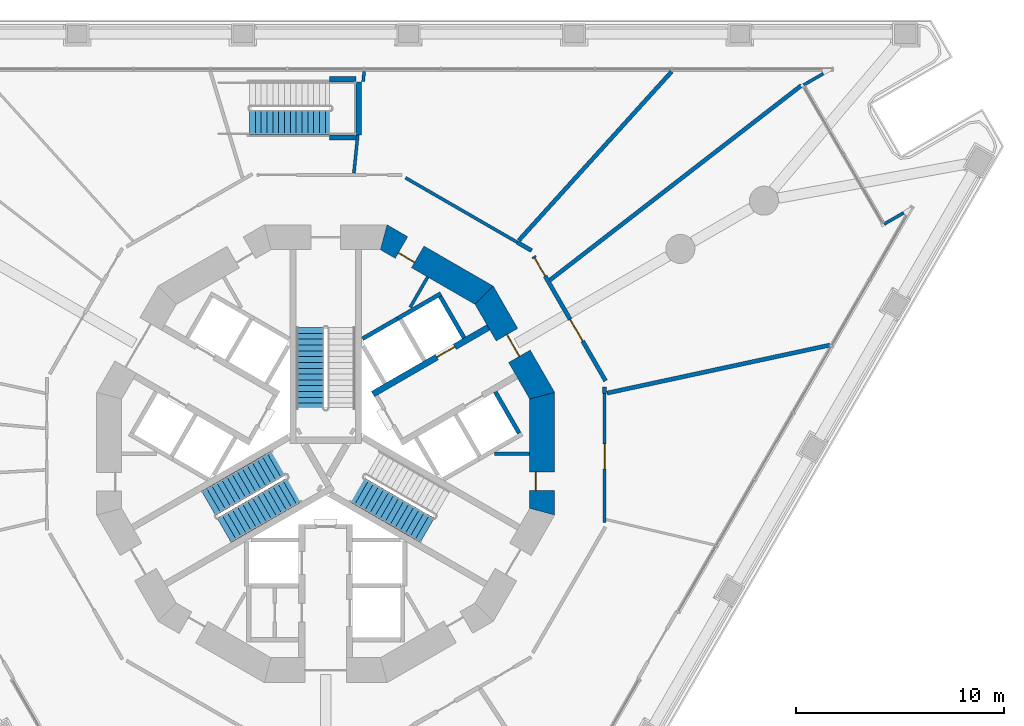
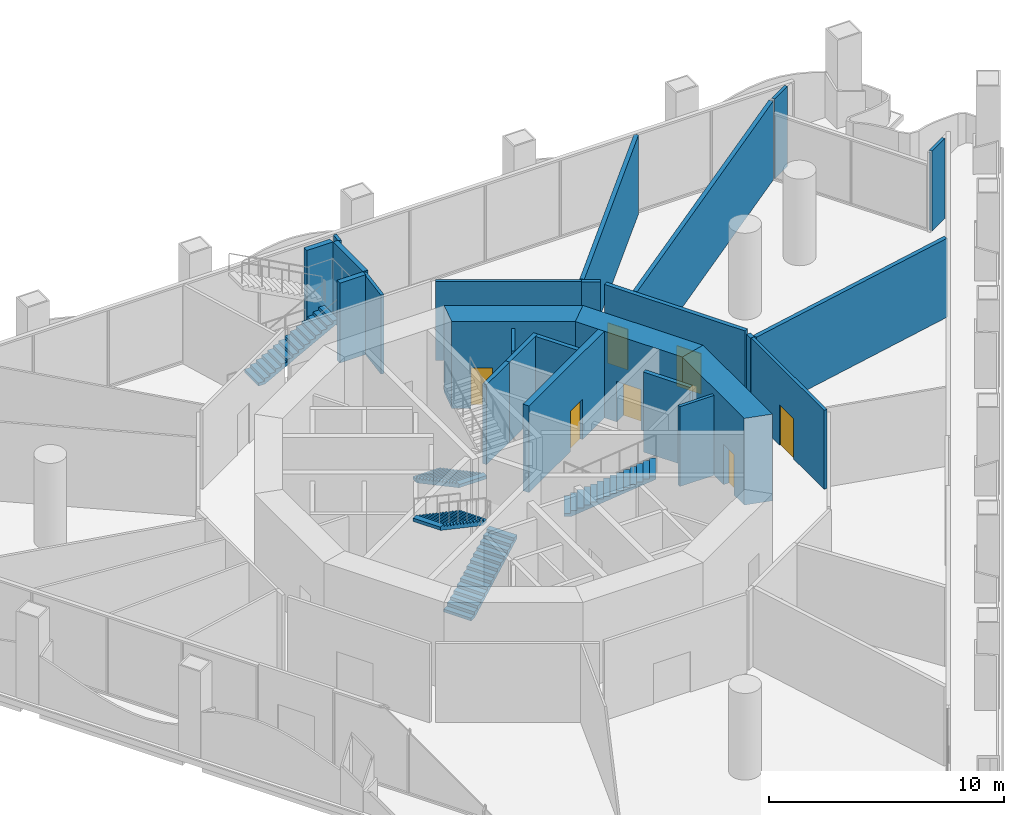
# One storey, part 14 of 23: 25 walls, 7 doors, 5 stair flights, 7 openings, 4 elements without a shape of their own.
"""IFC4 building model written with IfcOpenShell, lengths in metres."""

from ifc_helpers import new_model, si_unit, direction, frame, frame_2d, origin, place, context, subcontext, project, spatial, polyline, rectangle, outline, extrude, material, layer, layer_set, type_object, element, fill, aggregate, save


model = new_model("IFC4")

# Units and contexts
model_context = context("Model", 3, precision=1e-05, world=origin(), true_north=direction((0.0, 1.0)))
body_context = subcontext(model_context, "Body", "Model", "MODEL_VIEW")
ifc_project = project(units=[si_unit("LENGTHUNIT", "METRE"), si_unit("AREAUNIT", "SQUARE_METRE"), si_unit("VOLUMEUNIT", "CUBIC_METRE"), si_unit("PLANEANGLEUNIT", "RADIAN"), si_unit("MASSUNIT", "GRAM", prefix="KILO")], contexts=[model_context])

# Site, building, storey
site_placement = place(None, origin())
site = spatial("IfcSite", under=ifc_project, at=site_placement, CompositionType="ELEMENT")
building_placement = place(site_placement, origin())
building = spatial("IfcBuilding", under=site, at=building_placement, Name="Trine Commons Tower", CompositionType="ELEMENT")
storey_placement = place(building_placement, frame((0.0, 0.0, 18.0)))
storey = spatial("IfcBuildingStorey", under=building, at=storey_placement, Name="L03", CompositionType="ELEMENT", Elevation=18.0)

# Walls
ifc_material_1 = material(Name="Plasterboard on steel stud", Category="steel")
ifc_layer_1 = layer(ifc_material_1, 0.14990234375)
ifc_layer_set_1 = layer_set([ifc_layer_1], Name="Plasterboard on steel stud")
wall_type_1 = type_object("IfcWallType", Name="Compartment wall 150 mm, EI 60", PredefinedType="PARTITIONING", material=ifc_layer_set_1)
wall_1_placement = place(storey_placement, frame((81.357177734375, 75.994140625, 0.0), z_axis=(0.0, 0.0, 1.0), x_axis=(0.100173666566, 0.994969967651, 0.0)))
element("IfcWall", 1, at=wall_1_placement, inside=storey, type_object=wall_type_1, Name="Partition P3019", PredefinedType="PARTITIONING", context=body_context, shape_type="SweptSolid", body=[
    extrude(rectangle(XDim=1.840087890625, YDim=0.14990234375, at=frame_2d((0.919921875, 0.0))), origin(), (0.0, 0.0, 1.0), 4.10009765625),
])
wall_2_placement = place(storey_placement, frame((81.800048828125, 80.39501953125, 0.0), z_axis=(0.0, 0.0, 1.0), x_axis=(0.099749392044, 0.995012592276, 0.0)))
element("IfcWall", 2, at=wall_2_placement, inside=storey, type_object=wall_type_1, Name="Partition P3020", PredefinedType="PARTITIONING", context=body_context, shape_type="SweptSolid", body=[
    extrude(rectangle(XDim=0.491943359375, YDim=0.14990234375, at=frame_2d((0.24609375, 0.0))), origin(), (0.0, 0.0, 1.0), 4.10009765625),
])
wall_3_placement = place(storey_placement, frame((83.8359375, 75.771484375, 0.0), z_axis=(0.0, 0.0, 1.0), x_axis=(0.866042707112, -0.49997002856, 0.0)))
element("IfcWall", 3, at=wall_3_placement, inside=storey, type_object=wall_type_1, Name="Partition P3022", PredefinedType="PARTITIONING", context=body_context, shape_type="SweptSolid", body=[
    extrude(rectangle(XDim=6.203125, YDim=0.14990234375, at=frame_2d((3.1015625, 0.0))), origin(), (0.0, 0.0, 1.0), 4.10009765625),
])

# Wall, opening, door
wall_4_placement = place(storey_placement, frame((93.41162109375, 65.389404296875, 0.0), z_axis=(0.0, 0.0, 1.0), x_axis=(0.0, -1.0, 0.0)))
wall_4 = element("IfcWall", 4, at=wall_4_placement, inside=storey, type_object=wall_type_1, Name="Partition P3032", PredefinedType="PARTITIONING", context=body_context, shape_type="SweptSolid", body=[
    extrude(rectangle(XDim=6.203125, YDim=0.14990234375, at=frame_2d((3.1015625, 0.0))), origin(), (0.0, 0.0, 1.0), 4.10009765625),
])
opening_1_placement = place(wall_4_placement, frame((2.41845703125, 0.0, 0.0)))
opening_1 = element("IfcOpeningElement", 5, at=opening_1_placement, cuts=wall_4, Name="Opening D-P315", PredefinedType="OPENING", context=body_context, shape_type="SweptSolid", body=[
    extrude(rectangle(XDim=1.199951171875, YDim=2.10009765625, at=frame_2d((0.60009765625, 1.050048828125))), frame((0.0, 0.0849609375, 0.0), z_axis=(0.0, -1.0, 0.0), x_axis=(1.0, 0.0, 0.0)), (0.0, 0.0, 1.0), 0.169921875),
])
ifc_material_2 = material(Name="Timber fire door set", Category="wood")
door_type_1 = type_object("IfcDoorType", Name="Single swing door 1200x2100, FD30S", OperationType="SINGLE_SWING_LEFT", PredefinedType="DOOR", material=ifc_material_2)
door_1_placement = place(opening_1_placement, origin())
door_1 = element("IfcDoor", 6, at=door_1_placement, inside=storey, type_object=door_type_1, Name="Door D-P315", OperationType="SINGLE_SWING_LEFT", OverallHeight=2.10009765625, OverallWidth=1.199951171875, PredefinedType="DOOR", context=body_context, shape_type="SweptSolid", body=[
    extrude(rectangle(XDim=1.199951171875, YDim=2.10009765625, at=frame_2d((0.60009765625, 1.050048828125))), frame((0.0, 0.02490234375, 0.0), z_axis=(0.0, -1.0, 0.0), x_axis=(1.0, 0.0, 0.0)), (0.0, 0.0, 1.0), 0.050048828125),
])
fill(opening_1, door_1)

# Walls
ifc_material_3 = material(Name="Plasterboard partition on steel studs", Category="steel")
ifc_layer_2 = layer(ifc_material_3, 0.14990234375)
ifc_layer_set_2 = layer_set([ifc_layer_2], Name="Plasterboard partition on steel studs")
wall_type_2 = type_object("IfcWallType", Name="Core room partition 150 mm, EI 60", PredefinedType="PARTITIONING", material=ifc_layer_set_2)
wall_5_placement = place(storey_placement, frame((84.905029296875, 70.9970703125, 0.0), z_axis=(0.0, 0.0, 1.0), x_axis=(-0.500115728942, -0.865958577338, 0.0)))
element("IfcWall", 7, at=wall_5_placement, inside=storey, type_object=wall_type_2, Name="Core room partition L03", PredefinedType="PARTITIONING", context=body_context, shape_type="SweptSolid", body=[
    extrude(rectangle(XDim=1.68359375, YDim=0.14990234375, at=frame_2d((0.841796875, 0.0))), origin(), (0.0, 0.0, 1.0), 4.14990234375),
])
wall_6_placement = place(storey_placement, frame((89.81201171875, 62.5, 0.0), z_axis=(0.0, 0.0, 1.0), x_axis=(-1.0, 0.0, 0.0)))
element("IfcWall", 8, at=wall_6_placement, inside=storey, type_object=wall_type_2, Name="Core room partition L03", PredefinedType="PARTITIONING", context=body_context, shape_type="SweptSolid", body=[
    extrude(rectangle(XDim=1.68310546875, YDim=0.14990234375, at=frame_2d((0.841552734375, 0.0))), origin(), (0.0, 0.0, 1.0), 4.14990234375),
])
ifc_layer_3 = layer(ifc_material_1, 0.199951171875)
ifc_layer_set_3 = layer_set([ifc_layer_3], Name="Plasterboard on steel stud")
wall_type_3 = type_object("IfcWallType", Name="Fire wall 200 mm, EI 120", PredefinedType="PARTITIONING", material=ifc_layer_set_3)
wall_7_placement = place(storey_placement, frame((89.20751953125, 72.67041015625, 0.0), z_axis=(0.0, 0.0, 1.0), x_axis=(0.865938055058, -0.500151261923, 0.0)))
element("IfcWall", 9, at=wall_7_placement, inside=storey, type_object=wall_type_3, Name="Partition P3027", PredefinedType="PARTITIONING", context=body_context, shape_type="SweptSolid", body=[
    extrude(rectangle(XDim=0.804931640625, YDim=0.199951171875, at=frame_2d((0.40234375, 0.0))), origin(), (0.0, 0.0, 1.0), 4.10009765625),
])
wall_8_placement = place(storey_placement, frame((89.290771484375, 72.761962890625, 0.0), z_axis=(0.0, 0.0, 1.0), x_axis=(0.671165328065, 0.741307697521, 0.0)))
element("IfcWall", 10, at=wall_8_placement, inside=storey, type_object=wall_type_3, Name="Partition P3028", PredefinedType="PARTITIONING", context=body_context, shape_type="SweptSolid", body=[
    extrude(rectangle(XDim=10.95703125, YDim=0.199951171875, at=frame_2d((5.478515625, 0.0))), origin(), (0.0, 0.0, 1.0), 4.10009765625),
])

# Wall, openings, doors
wall_9_placement = place(storey_placement, frame((90.004638671875, 71.99462890625, 0.0), z_axis=(0.0, 0.0, 1.0), x_axis=(0.500012835235, -0.866017993231, 0.0)))
wall_9 = element("IfcWall", 11, at=wall_9_placement, inside=storey, type_object=wall_type_3, Name="Partition P3030", PredefinedType="PARTITIONING", context=body_context, shape_type="SweptSolid", body=[
    extrude(rectangle(XDim=6.913818359375, YDim=0.199951171875, at=frame_2d((3.45703125, 0.0))), origin(), (0.0, 0.0, 1.0), 4.10009765625),
])
opening_2_placement = place(wall_9_placement, frame((0.10009765625, 0.0, 0.0)))
opening_2 = element("IfcOpeningElement", 12, at=opening_2_placement, cuts=wall_9, Name="Opening D-P313", PredefinedType="OPENING", context=body_context, shape_type="SweptSolid", body=[
    extrude(rectangle(XDim=1.0, YDim=2.10009765625, at=frame_2d((0.5, 1.050048828125))), frame((0.0, 0.10986328125, 0.0), z_axis=(0.0, -1.0, 0.0), x_axis=(1.0, 0.0, 0.0)), (0.0, 0.0, 1.0), 0.219970703125),
])
opening_3_placement = place(wall_9_placement, frame((3.5048828125, 0.0, 0.0)))
opening_3 = element("IfcOpeningElement", 13, at=opening_3_placement, cuts=wall_9, Name="Opening D-P314", PredefinedType="OPENING", context=body_context, shape_type="SweptSolid", body=[
    extrude(rectangle(XDim=1.199951171875, YDim=2.10009765625, at=frame_2d((0.60009765625, 1.050048828125))), frame((0.0, 0.10986328125, 0.0), z_axis=(0.0, -1.0, 0.0), x_axis=(1.0, 0.0, 0.0)), (0.0, 0.0, 1.0), 0.219970703125),
])
door_type_2 = type_object("IfcDoorType", Name="Single swing door 1000x2100, FD30S", OperationType="SINGLE_SWING_LEFT", PredefinedType="DOOR", material=ifc_material_2)
door_2_placement = place(opening_2_placement, origin())
door_2 = element("IfcDoor", 14, at=door_2_placement, inside=storey, type_object=door_type_2, Name="Door D-P313", OperationType="SINGLE_SWING_LEFT", OverallHeight=2.10009765625, OverallWidth=1.0, PredefinedType="DOOR", context=body_context, shape_type="SweptSolid", body=[
    extrude(rectangle(XDim=1.0, YDim=2.10009765625, at=frame_2d((0.5, 1.050048828125))), frame((0.0, 0.02490234375, 0.0), z_axis=(0.0, -1.0, 0.0), x_axis=(1.0, 0.0, 0.0)), (0.0, 0.0, 1.0), 0.050048828125),
])
fill(opening_2, door_2)
door_3_placement = place(opening_3_placement, origin())
door_3 = element("IfcDoor", 15, at=door_3_placement, inside=storey, type_object=door_type_1, Name="Door D-P314", OperationType="SINGLE_SWING_LEFT", OverallHeight=2.10009765625, OverallWidth=1.199951171875, PredefinedType="DOOR", context=body_context, shape_type="SweptSolid", body=[
    extrude(rectangle(XDim=1.199951171875, YDim=2.10009765625, at=frame_2d((0.60009765625, 1.050048828125))), frame((0.0, 0.02490234375, 0.0), z_axis=(0.0, -1.0, 0.0), x_axis=(1.0, 0.0, 0.0)), (0.0, 0.0, 1.0), 0.050048828125),
])
fill(opening_3, door_3)

# Walls
wall_10_placement = place(storey_placement, frame((90.79296875, 70.85595703125, 0.0), z_axis=(0.0, 0.0, 1.0), x_axis=(0.790726451342, 0.612169648993, 0.0)))
element("IfcWall", 16, at=wall_10_placement, inside=storey, type_object=wall_type_3, Name="Partition P3031", PredefinedType="PARTITIONING", context=body_context, shape_type="SweptSolid", body=[
    extrude(rectangle(XDim=15.28369140625, YDim=0.199951171875, at=frame_2d((7.641845703125, 0.0))), origin(), (0.0, 0.0, 1.0), 4.10009765625),
])
wall_11_placement = place(storey_placement, frame((93.41162109375, 65.38916015625, 0.0), z_axis=(0.0, 0.0, 1.0), x_axis=(0.0, 1.0, 0.0)))
element("IfcWall", 17, at=wall_11_placement, inside=storey, type_object=wall_type_3, Name="Partition P3034", PredefinedType="PARTITIONING", context=body_context, shape_type="SweptSolid", body=[
    extrude(rectangle(XDim=0.331298828125, YDim=0.199951171875, at=frame_2d((0.16552734375, 0.0))), origin(), (0.0, 0.0, 1.0), 4.10009765625),
])
wall_12_placement = place(storey_placement, frame((93.53271484375, 65.415283203125, 0.0), z_axis=(0.0, 0.0, 1.0), x_axis=(0.977571619622, 0.210603249047, 0.0)))
element("IfcWall", 18, at=wall_12_placement, inside=storey, type_object=wall_type_3, Name="Partition P3035", PredefinedType="PARTITIONING", context=body_context, shape_type="SweptSolid", body=[
    extrude(rectangle(XDim=10.957275390625, YDim=0.199951171875, at=frame_2d((5.478515625, 0.0))), origin(), (0.0, 0.0, 1.0), 4.10009765625),
])
ifc_material_4 = material(Name="Aluminium-framed insulated wall panel", Category="aluminium")
ifc_layer_4 = layer(ifc_material_4, 0.14990234375)
ifc_layer_set_4 = layer_set([ifc_layer_4], Name="Aluminium-framed insulated wall panel")
wall_type_4 = type_object("IfcWallType", Name="Glazed frame wall 150, EI 60", PredefinedType="SOLIDWALL", material=ifc_layer_set_4)
wall_13_placement = place(storey_placement, frame((104.060546875, 80.854248046875, 0.0), z_axis=(0.0, 0.0, 1.0), x_axis=(-0.86606770004, -0.49992673358, 0.0)))
element("IfcWall", 19, at=wall_13_placement, inside=storey, type_object=wall_type_4, Name="Glazed frame wall L03 R5", PredefinedType="SOLIDWALL", context=body_context, shape_type="SweptSolid", body=[
    extrude(outline(polyline([(0.1494140625, 0.074951171875), (0.1494140625, -0.074951171875), (1.235107421875, -0.074951171875), (1.235107421875, 0.074951171875), (0.1494140625, 0.074951171875)])), origin(), (0.0, 0.0, 1.0), 4.14990234375),
])
wall_14_placement = place(storey_placement, frame((106.7607421875, 73.4873046875, 0.0), z_axis=(0.0, 0.0, 1.0), x_axis=(0.865989100438, 0.500062873969, 0.0)))
element("IfcWall", 20, at=wall_14_placement, inside=storey, type_object=wall_type_4, Name="Glazed frame wall L03 R7", PredefinedType="SOLIDWALL", context=body_context, shape_type="SweptSolid", body=[
    extrude(outline(polyline([(0.110107421875, 0.074951171875), (0.110107421875, -0.074951171875), (1.19580078125, -0.074951171875), (1.19580078125, 0.074951171875), (0.110107421875, 0.074951171875)])), origin(), (0.0, 0.0, 1.0), 4.14990234375),
])

# Wall, opening, door
ifc_material_5 = material(Name="Concrete C80/95", Category="concrete")
ifc_layer_5 = layer(ifc_material_5, 1.199951171875)
ifc_layer_set_5 = layer_set([ifc_layer_5], Name="Concrete C80/95")
wall_type_5 = type_object("IfcWallType", Name="RC shear wall 1200 mm, C80/95", PredefinedType="SHEAR", material=ifc_layer_set_5)
wall_15_placement = place(storey_placement, frame((90.41162109375, 59.549560546875, 0.0), z_axis=(0.0, 0.0, 1.0), x_axis=(0.0, 1.0, 0.0)))
wall_15 = element("IfcWall", 21, at=wall_15_placement, inside=storey, type_object=wall_type_5, Name="Core wall CWA-01 L03", PredefinedType="SHEAR", context=body_context, shape_type="SweptSolid", body=[
    extrude(outline(polyline([(0.0, -0.60009765625), (5.90087890625, -0.60009765625), (5.57958984375, 0.60009765625), (0.321533203125, 0.60009765625), (0.0, -0.60009765625)])), origin(), (0.0, 0.0, 1.0), 4.5),
])
opening_4_placement = place(wall_15_placement, frame((1.175537109375, 0.0, 0.0)))
opening_4 = element("IfcOpeningElement", 22, at=opening_4_placement, cuts=wall_15, Name="Opening K06.17", PredefinedType="OPENING", context=body_context, shape_type="SweptSolid", body=[
    extrude(rectangle(XDim=0.89990234375, YDim=2.10009765625, at=frame_2d((0.449951171875, 1.050048828125))), frame((0.0, 0.60986328125, 0.0), z_axis=(0.0, -1.0, 0.0), x_axis=(1.0, 0.0, 0.0)), (0.0, 0.0, 1.0), 1.219970703125),
])
ifc_material_6 = material(Name="Steel door leaf, fire-rated", Category="steel")
door_type_3 = type_object("IfcDoorType", Name="Core room door, single leaf 900 x 2100, FD30S", OperationType="SINGLE_SWING_LEFT", PredefinedType="DOOR", material=ifc_material_6)
door_4_placement = place(opening_4_placement, origin())
door_4 = element("IfcDoor", 23, at=door_4_placement, inside=storey, type_object=door_type_3, Name="Door to Linen store L03", OperationType="SINGLE_SWING_LEFT", OverallHeight=2.10009765625, OverallWidth=0.89990234375, PredefinedType="DOOR", context=body_context, shape_type="SweptSolid", body=[
    extrude(rectangle(XDim=0.89990234375, YDim=2.10009765625, at=frame_2d((0.449951171875, 1.050048828125))), frame((0.0, 0.3251953125, 0.0), z_axis=(0.0, -1.0, 0.0), x_axis=(1.0, 0.0, 0.0)), (0.0, 0.0, 1.0), 0.050048828125),
])
fill(opening_4, door_4)

wall_16_placement = place(storey_placement, frame((90.491943359375, 65.150390625, 0.0), z_axis=(0.0, 0.0, 1.0), x_axis=(-0.499979111662, 0.866037463336, 0.0)))
wall_16 = element("IfcWall", 24, at=wall_16_placement, inside=storey, type_object=wall_type_5, Name="Core wall CWA-02 L03", PredefinedType="SHEAR", context=body_context, shape_type="SweptSolid", body=[
    extrude(outline(polyline([(0.0, -0.60009765625), (5.901123046875, -0.60009765625), (5.57958984375, 0.60009765625), (0.321533203125, 0.60009765625), (0.0, -0.60009765625)])), origin(), (0.0, 0.0, 1.0), 4.5),
])
opening_5_placement = place(wall_16_placement, frame((2.3505859375, 0.0, 0.0)))
opening_5 = element("IfcOpeningElement", 25, at=opening_5_placement, cuts=wall_16, Name="Opening K06.04", PredefinedType="OPENING", context=body_context, shape_type="SweptSolid", body=[
    extrude(rectangle(XDim=1.199951171875, YDim=2.10009765625, at=frame_2d((0.60009765625, 1.050048828125))), frame((0.0, 0.60986328125, 0.0), z_axis=(0.0, -1.0, 0.0), x_axis=(1.0, 0.0, 0.0)), (0.0, 0.0, 1.0), 1.219970703125),
])
ifc_material_7 = material(Name="Steel door leaves, fire-rated", Category="steel")
door_type_4 = type_object("IfcDoorType", Name="Lobby door, double leaf 1200 x 2100, FD60", OperationType="DOUBLE_DOOR_SINGLE_SWING", PredefinedType="DOOR", material=ifc_material_7)
door_5_placement = place(opening_5_placement, origin())
door_5 = element("IfcDoor", 26, at=door_5_placement, inside=storey, type_object=door_type_4, Name="Lobby door, Passenger lift lobby A L03", OperationType="DOUBLE_DOOR_SINGLE_SWING", OverallHeight=2.10009765625, OverallWidth=1.199951171875, PredefinedType="DOOR", context=body_context, shape_type="SweptSolid", body=[
    extrude(rectangle(XDim=1.199951171875, YDim=2.10009765625, at=frame_2d((0.60009765625, 1.050048828125))), frame((0.0, 0.02490234375, 0.0), z_axis=(0.0, -1.0, 0.0), x_axis=(1.0, 0.0, 0.0)), (0.0, 0.0, 1.0), 0.050048828125),
])
fill(opening_5, door_5)

wall_17_placement = place(storey_placement, frame((87.760986328125, 70.04150390625, 0.0), z_axis=(0.0, 0.0, 1.0), x_axis=(-0.866037463336, 0.499979111662, 0.0)))
wall_17 = element("IfcWall", 27, at=wall_17_placement, inside=storey, type_object=wall_type_5, Name="Core wall CWA-03 L03", PredefinedType="SHEAR", context=body_context, shape_type="SweptSolid", body=[
    extrude(outline(polyline([(0.0, -0.60009765625), (5.901123046875, -0.60009765625), (5.57958984375, 0.60009765625), (0.321533203125, 0.60009765625), (0.0, -0.60009765625)])), origin(), (0.0, 0.0, 1.0), 4.5),
])
opening_6_placement = place(wall_17_placement, frame((3.8515625, 0.0, 0.0)))
opening_6 = element("IfcOpeningElement", 28, at=opening_6_placement, cuts=wall_17, Name="Opening K06.12", PredefinedType="OPENING", context=body_context, shape_type="SweptSolid", body=[
    extrude(rectangle(XDim=0.89990234375, YDim=2.10009765625, at=frame_2d((0.449951171875, 1.050048828125))), frame((0.0, 0.60986328125, 0.0), z_axis=(0.0, -1.0, 0.0), x_axis=(1.0, 0.0, 0.0)), (0.0, 0.0, 1.0), 1.219970703125),
])
door_6_placement = place(opening_6_placement, origin())
door_6 = element("IfcDoor", 29, at=door_6_placement, inside=storey, type_object=door_type_3, Name="Door to Cleaner's store L03", OperationType="SINGLE_SWING_RIGHT", OverallHeight=2.10009765625, OverallWidth=0.89990234375, PredefinedType="DOOR", context=body_context, shape_type="SweptSolid", body=[
    extrude(rectangle(XDim=0.89990234375, YDim=2.10009765625, at=frame_2d((0.449951171875, 1.050048828125))), frame((0.0, 0.3251953125, 0.0), z_axis=(0.0, -1.0, 0.0), x_axis=(1.0, 0.0, 0.0)), (0.0, 0.0, 1.0), 0.050048828125),
])
fill(opening_6, door_6)

ifc_layer_6 = layer(ifc_material_5, 0.300048828125)
ifc_layer_set_6 = layer_set([ifc_layer_6], Name="Concrete C80/95")
wall_type_6 = type_object("IfcWallType", Name="RC shear wall 300 mm, C80/95", PredefinedType="SHEAR", material=ifc_layer_set_6)
wall_18_placement = place(storey_placement, frame((82.26904296875, 65.368896484375, 0.0), z_axis=(0.0, 0.0, 1.0), x_axis=(0.866022631842, 0.500004801114, 0.0)))
wall_18 = element("IfcWall", 30, at=wall_18_placement, inside=storey, type_object=wall_type_6, Name="Core cross wall SWA-05 L03", PredefinedType="SHEAR", context=body_context, shape_type="SweptSolid", body=[
    extrude(rectangle(XDim=6.412109375, YDim=0.300048828125, at=frame_2d((3.2060546875, 0.0))), origin(), (0.0, 0.0, 1.0), 4.5),
])
opening_7_placement = place(wall_18_placement, frame((3.55029296875, 0.0, 0.0)))
opening_7 = element("IfcOpeningElement", 31, at=opening_7_placement, cuts=wall_18, Name="Opening LD1", PredefinedType="OPENING", context=body_context, shape_type="SweptSolid", body=[
    extrude(rectangle(XDim=1.0, YDim=2.10009765625, at=frame_2d((0.5, 1.050048828125))), frame((0.0, 0.159912109375, 0.0), z_axis=(0.0, -1.0, 0.0), x_axis=(1.0, 0.0, 0.0)), (0.0, 0.0, 1.0), 0.320068359375),
])
ifc_material_8 = material(Name="Stainless steel sliding door leaves", Category="steel")
door_type_5 = type_object("IfcDoorType", Name="Lift landing door, centre-opening sliding 1000 x 2100, FD90", OperationType="DOUBLE_DOOR_SLIDING", PredefinedType="DOOR", material=ifc_material_8)
door_7_placement = place(opening_7_placement, origin())
door_7 = element("IfcDoor", 32, at=door_7_placement, inside=storey, type_object=door_type_5, Name="Lift landing door LR1 L03", OperationType="DOUBLE_DOOR_SLIDING", OverallHeight=2.10009765625, OverallWidth=1.0, PredefinedType="DOOR", context=body_context, shape_type="SweptSolid", body=[
    extrude(rectangle(XDim=1.0, YDim=2.10009765625, at=frame_2d((0.5, 1.050048828125))), frame((0.0, 0.02490234375, 0.0), z_axis=(0.0, -1.0, 0.0), x_axis=(1.0, 0.0, 0.0)), (0.0, 0.0, 1.0), 0.050048828125),
])
fill(opening_7, door_7)

# Walls
ifc_material_9 = material(Name="Fire-rated gypsum shaft wall system")
ifc_layer_7 = layer(ifc_material_9, 0.199951171875)
ifc_layer_set_7 = layer_set([ifc_layer_7], Name="Fire-rated gypsum shaft wall system")
wall_type_7 = type_object("IfcWallType", Name="Shaft wall 200 mm, EI 120", PredefinedType="PARTITIONING", material=ifc_layer_set_7)
wall_19_placement = place(storey_placement, frame((81.77490234375, 68.028076171875, 0.0), z_axis=(0.0, 0.0, 1.0), x_axis=(0.866052014814, 0.499953905513, 0.0)))
element("IfcWall", 33, at=wall_19_placement, inside=storey, type_object=wall_type_7, Name="Shaft wall L03", PredefinedType="PARTITIONING", context=body_context, shape_type="SweptSolid", body=[
    extrude(rectangle(XDim=1.947998046875, YDim=0.199951171875, at=frame_2d((0.97412109375, 0.0))), origin(), (0.0, 0.0, 1.0), 4.14990234375),
])
wall_20_placement = place(storey_placement, frame((83.4619140625, 69.001953125, 0.0), z_axis=(0.0, 0.0, 1.0), x_axis=(0.866202511239, 0.499693115345, 0.0)))
element("IfcWall", 34, at=wall_20_placement, inside=storey, type_object=wall_type_7, Name="Shaft wall L03", PredefinedType="PARTITIONING", context=body_context, shape_type="SweptSolid", body=[
    extrude(rectangle(XDim=2.4013671875, YDim=0.199951171875, at=frame_2d((1.20068359375, 0.0))), origin(), (0.0, 0.0, 1.0), 4.14990234375),
])
wall_21_placement = place(storey_placement, frame((86.655029296875, 68.073974609375, 0.0), z_axis=(0.0, 0.0, 1.0), x_axis=(-0.500215680983, 0.865900844496, 0.0)))
element("IfcWall", 35, at=wall_21_placement, inside=storey, type_object=wall_type_7, Name="Shaft wall L03", PredefinedType="PARTITIONING", context=body_context, shape_type="SweptSolid", body=[
    extrude(rectangle(XDim=2.29931640625, YDim=0.199951171875, at=frame_2d((1.149658203125, 0.0))), origin(), (0.0, 0.0, 1.0), 4.14990234375),
])
wall_22_placement = place(storey_placement, frame((88.155029296875, 65.47607421875, 0.0), z_axis=(0.0, 0.0, 1.0), x_axis=(0.500136062276, -0.86594683394, 0.0)))
element("IfcWall", 36, at=wall_22_placement, inside=storey, type_object=wall_type_7, Name="Shaft wall L03", PredefinedType="PARTITIONING", context=body_context, shape_type="SweptSolid", body=[
    extrude(rectangle(XDim=2.299072265625, YDim=0.199951171875, at=frame_2d((1.1494140625, 0.0))), origin(), (0.0, 0.0, 1.0), 4.14990234375),
])
ifc_material_10 = material(Name="Concrete C40/50", Category="concrete")
ifc_layer_8 = layer(ifc_material_10, 0.25)
ifc_layer_set_8 = layer_set([ifc_layer_8], Name="Concrete C40/50")
wall_type_8 = type_object("IfcWallType", Name="Stair landing wall 250 mm, concrete C40/50", PredefinedType="SOLIDWALL", material=ifc_layer_set_8)
wall_23_placement = place(storey_placement, frame((81.5849609375, 77.8349609375, 0.0), z_axis=(0.0, 0.0, 1.0), x_axis=(0.0, 1.0, 0.0)))
element("IfcWall", 37, at=wall_23_placement, inside=storey, type_object=wall_type_8, Name="L03 PS1 landing wall E", PredefinedType="SOLIDWALL", context=body_context, shape_type="SweptSolid", body=[
    extrude(rectangle(XDim=2.550048828125, YDim=0.25, at=frame_2d((1.27490234375, 0.0))), origin(), (0.0, 0.0, 1.0), 4.14990234375),
])
for number, where, z_axis, x_axis, name in (
    (38, (80.179931640625, 80.510009765625, 0.0), (0.0, 0.0, 1.0), (1.0, 0.0, 0.0), "L03 PS1 landing wall N"),
    (39, (80.179931640625, 77.7099609375, 0.0), (0.0, 0.0, 1.0), (1.0, 0.0, 0.0), "L03 PS1 landing wall S"),
):
    element("IfcWall", number, at=place(storey_placement, frame(where, z_axis=z_axis, x_axis=x_axis)), inside=storey, type_object=wall_type_8, Name=name, PredefinedType="SOLIDWALL", context=body_context, shape_type="SweptSolid", body=[
        extrude(rectangle(XDim=1.280029296875, YDim=0.25, at=frame_2d((0.64013671875, 0.0))), origin(), (0.0, 0.0, 1.0), 4.14990234375),
    ])

# Stair, stair flight
stair_type_1 = type_object("IfcStairType", Name="Podium stair, dog-leg 1200 mm, C40/50", PredefinedType="HALF_TURN_STAIR", material=ifc_material_10)
stair_1_placement = place(storey_placement, origin())
stair_1 = element("IfcStair", 40, at=stair_1_placement, inside=storey, type_object=stair_type_1, Name="L03 Podium stair", PredefinedType="HALF_TURN_STAIR")
stair_flight_type_1 = type_object("IfcStairFlightType", Name="Podium stair flight 1200 mm, C40/50", PredefinedType="STRAIGHT", material=ifc_material_10)
stair_flight_1_placement = place(storey_placement, frame((76.340087890625, 78.43505859375, 0.0), z_axis=(0.0, 0.0, 1.0), x_axis=(1.0, 0.0, 0.0)))
stair_flight_1 = element("IfcStairFlight", 41, at=stair_flight_1_placement, type_object=stair_flight_type_1, Name="PS1 flight 1", NumberOfRisers=15, NumberOfTreads=14, PredefinedType="STRAIGHT", RiserHeight=0.15, TreadLength=0.28, context=body_context, shape_type="SweptSolid", body=[
    extrude(outline(polyline([(0.0, 0.0), (0.0, 0.14990234375), (0.280029296875, 0.14990234375), (0.280029296875, 0.300048828125), (0.56005859375, 0.300048828125), (0.56005859375, 0.449951171875), (0.840087890625, 0.449951171875), (0.840087890625, 0.60009765625), (1.1201171875, 0.60009765625), (1.1201171875, 0.75), (1.39990234375, 0.75), (1.39990234375, 0.89990234375), (1.679931640625, 0.89990234375), (1.679931640625, 1.050048828125), (1.9599609375, 1.050048828125), (1.9599609375, 1.199951171875), (2.239990234375, 1.199951171875), (2.239990234375, 1.35009765625), (2.52001953125, 1.35009765625), (2.52001953125, 1.5), (2.800048828125, 1.5), (2.800048828125, 1.64990234375), (3.080078125, 1.64990234375), (3.080078125, 1.800048828125), (3.360107421875, 1.800048828125), (3.360107421875, 1.949951171875), (3.639892578125, 1.949951171875), (3.639892578125, 2.10009765625), (3.919921875, 2.10009765625), (3.919921875, 2.25), (3.919921875, 1.929931640625), (0.3173828125, 0.0), (0.0, 0.0)])), frame((0.0, 0.60009765625, 0.0), z_axis=(0.0, -1.0, 0.0), x_axis=(1.0, 0.0, 0.0)), (0.0, 0.0, 1.0), 1.199951171875),
])
aggregate(stair_1, [stair_flight_1])

ifc_material_11 = material(Name="Concrete C50/60", Category="concrete")
stair_type_2 = type_object("IfcStairType", Name="Exit stair, dog-leg, 30 risers of 150 mm", PredefinedType="HALF_TURN_STAIR", material=ifc_material_11)
stair_2_placement = place(storey_placement, origin())
stair_2 = element("IfcStair", 42, at=stair_2_placement, inside=storey, type_object=stair_type_2, Name="L03 Exit stair ST1A", PredefinedType="HALF_TURN_STAIR")
stair_flight_type_2 = type_object("IfcStairFlightType", Name="Stair flight, 1350 wide, 15 risers of 150 mm", PredefinedType="STRAIGHT", material=ifc_material_11)
stair_flight_2_placement = place(storey_placement, frame((79.25, 68.570556640625, 0.0), z_axis=(0.0, 0.0, 1.0), x_axis=(0.0, -1.0, 0.0)))
stair_flight_2 = element("IfcStairFlight", 43, at=stair_flight_2_placement, type_object=stair_flight_type_2, Name="ST1A flight 1", NumberOfRisers=15, NumberOfTreads=14, PredefinedType="STRAIGHT", RiserHeight=0.15, TreadLength=0.28, context=body_context, shape_type="SweptSolid", body=[
    extrude(outline(polyline([(0.0, 0.0), (0.0, 0.14990234375), (0.280029296875, 0.14990234375), (0.280029296875, 0.300048828125), (0.56005859375, 0.300048828125), (0.56005859375, 0.449951171875), (0.840087890625, 0.449951171875), (0.840087890625, 0.60009765625), (1.1201171875, 0.60009765625), (1.1201171875, 0.75), (1.39990234375, 0.75), (1.39990234375, 0.89990234375), (1.679931640625, 0.89990234375), (1.679931640625, 1.050048828125), (1.9599609375, 1.050048828125), (1.9599609375, 1.199951171875), (2.239990234375, 1.199951171875), (2.239990234375, 1.35009765625), (2.52001953125, 1.35009765625), (2.52001953125, 1.5), (2.800048828125, 1.5), (2.800048828125, 1.64990234375), (3.080078125, 1.64990234375), (3.080078125, 1.800048828125), (3.360107421875, 1.800048828125), (3.360107421875, 1.949951171875), (3.639892578125, 1.949951171875), (3.639892578125, 2.10009765625), (3.919921875, 2.10009765625), (3.919921875, 2.25), (3.919921875, 1.929931640625), (0.3173828125, 0.0), (0.0, 0.0)])), frame((0.0, 0.675048828125, 0.0), z_axis=(0.0, -1.0, 0.0), x_axis=(1.0, 0.0, 0.0)), (0.0, 0.0, 1.0), 1.35009765625),
])
aggregate(stair_2, [stair_flight_2])

# Stair, stair flights
stair_3_placement = place(storey_placement, origin())
stair_3 = element("IfcStair", 44, at=stair_3_placement, inside=storey, type_object=stair_type_2, Name="L03 Exit stair ST2A", PredefinedType="HALF_TURN_STAIR")
stair_flight_3_placement = place(storey_placement, frame((75.11767578125, 58.815185546875, 0.0), z_axis=(0.0, 0.0, 1.0), x_axis=(0.866025403784, 0.5, 0.0)))
stair_flight_3 = element("IfcStairFlight", 45, at=stair_flight_3_placement, type_object=stair_flight_type_2, Name="ST2A flight 1", NumberOfRisers=15, NumberOfTreads=14, PredefinedType="STRAIGHT", RiserHeight=0.15, TreadLength=0.28, context=body_context, shape_type="SweptSolid", body=[
    extrude(outline(polyline([(0.0, 0.0), (0.0, 0.14990234375), (0.280029296875, 0.14990234375), (0.280029296875, 0.300048828125), (0.56005859375, 0.300048828125), (0.56005859375, 0.449951171875), (0.840087890625, 0.449951171875), (0.840087890625, 0.60009765625), (1.1201171875, 0.60009765625), (1.1201171875, 0.75), (1.39990234375, 0.75), (1.39990234375, 0.89990234375), (1.679931640625, 0.89990234375), (1.679931640625, 1.050048828125), (1.9599609375, 1.050048828125), (1.9599609375, 1.199951171875), (2.239990234375, 1.199951171875), (2.239990234375, 1.35009765625), (2.52001953125, 1.35009765625), (2.52001953125, 1.5), (2.800048828125, 1.5), (2.800048828125, 1.64990234375), (3.080078125, 1.64990234375), (3.080078125, 1.800048828125), (3.360107421875, 1.800048828125), (3.360107421875, 1.949951171875), (3.639892578125, 1.949951171875), (3.639892578125, 2.10009765625), (3.919921875, 2.10009765625), (3.919921875, 2.25), (3.919921875, 1.929931640625), (0.3173828125, 0.0), (0.0, 0.0)])), frame((0.0, 0.675048828125, 0.0), z_axis=(0.0, -1.0, 0.0), x_axis=(1.0, 0.0, 0.0)), (0.0, 0.0, 1.0), 1.35009765625),
])
stair_flight_4_placement = place(storey_placement, frame((77.762451171875, 62.07421875, 2.25), z_axis=(0.0, 0.0, 1.0), x_axis=(-0.866025403784, -0.5, 0.0)))
stair_flight_4 = element("IfcStairFlight", 46, at=stair_flight_4_placement, type_object=stair_flight_type_2, Name="ST2A flight 2", NumberOfRisers=15, NumberOfTreads=14, PredefinedType="STRAIGHT", RiserHeight=0.15, TreadLength=0.28, context=body_context, shape_type="SweptSolid", body=[
    extrude(outline(polyline([(0.0, 0.0), (0.0, 0.14990234375), (0.280029296875, 0.14990234375), (0.280029296875, 0.300048828125), (0.56005859375, 0.300048828125), (0.56005859375, 0.449951171875), (0.840087890625, 0.449951171875), (0.840087890625, 0.60009765625), (1.1201171875, 0.60009765625), (1.1201171875, 0.75), (1.39990234375, 0.75), (1.39990234375, 0.89990234375), (1.679931640625, 0.89990234375), (1.679931640625, 1.050048828125), (1.9599609375, 1.050048828125), (1.9599609375, 1.199951171875), (2.239990234375, 1.199951171875), (2.239990234375, 1.35009765625), (2.52001953125, 1.35009765625), (2.52001953125, 1.5), (2.800048828125, 1.5), (2.800048828125, 1.64990234375), (3.080078125, 1.64990234375), (3.080078125, 1.800048828125), (3.360107421875, 1.800048828125), (3.360107421875, 1.949951171875), (3.639892578125, 1.949951171875), (3.639892578125, 2.10009765625), (3.919921875, 2.10009765625), (3.919921875, 2.25), (3.919921875, 1.929931640625), (0.3173828125, 0.0), (0.0, 0.0)])), frame((0.0, 0.675048828125, 0.0), z_axis=(0.0, -1.0, 0.0), x_axis=(1.0, 0.0, 0.0)), (0.0, 0.0, 1.0), 1.35009765625),
])
aggregate(stair_3, [stair_flight_3, stair_flight_4])

# Stair, stair flight
stair_4_placement = place(storey_placement, origin())
stair_4 = element("IfcStair", 47, at=stair_4_placement, inside=storey, type_object=stair_type_2, Name="L03 Exit stair ST3A", PredefinedType="HALF_TURN_STAIR")
stair_flight_5_placement = place(storey_placement, frame((81.487548828125, 60.775146484375, 2.25), z_axis=(0.0, 0.0, 1.0), x_axis=(0.866025403784, -0.5, 0.0)))
stair_flight_5 = element("IfcStairFlight", 48, at=stair_flight_5_placement, type_object=stair_flight_type_2, Name="ST3A flight 2", NumberOfRisers=15, NumberOfTreads=14, PredefinedType="STRAIGHT", RiserHeight=0.15, TreadLength=0.28, context=body_context, shape_type="SweptSolid", body=[
    extrude(outline(polyline([(0.0, 0.0), (0.0, 0.14990234375), (0.280029296875, 0.14990234375), (0.280029296875, 0.300048828125), (0.56005859375, 0.300048828125), (0.56005859375, 0.449951171875), (0.840087890625, 0.449951171875), (0.840087890625, 0.60009765625), (1.1201171875, 0.60009765625), (1.1201171875, 0.75), (1.39990234375, 0.75), (1.39990234375, 0.89990234375), (1.679931640625, 0.89990234375), (1.679931640625, 1.050048828125), (1.9599609375, 1.050048828125), (1.9599609375, 1.199951171875), (2.239990234375, 1.199951171875), (2.239990234375, 1.35009765625), (2.52001953125, 1.35009765625), (2.52001953125, 1.5), (2.800048828125, 1.5), (2.800048828125, 1.64990234375), (3.080078125, 1.64990234375), (3.080078125, 1.800048828125), (3.360107421875, 1.800048828125), (3.360107421875, 1.949951171875), (3.639892578125, 1.949951171875), (3.639892578125, 2.10009765625), (3.919921875, 2.10009765625), (3.919921875, 2.25), (3.919921875, 1.929931640625), (0.3173828125, 0.0), (0.0, 0.0)])), frame((0.0, 0.675048828125, 0.0), z_axis=(0.0, -1.0, 0.0), x_axis=(1.0, 0.0, 0.0)), (0.0, 0.0, 1.0), 1.35009765625),
])
aggregate(stair_4, [stair_flight_5])

save(model, "model.ifc")
